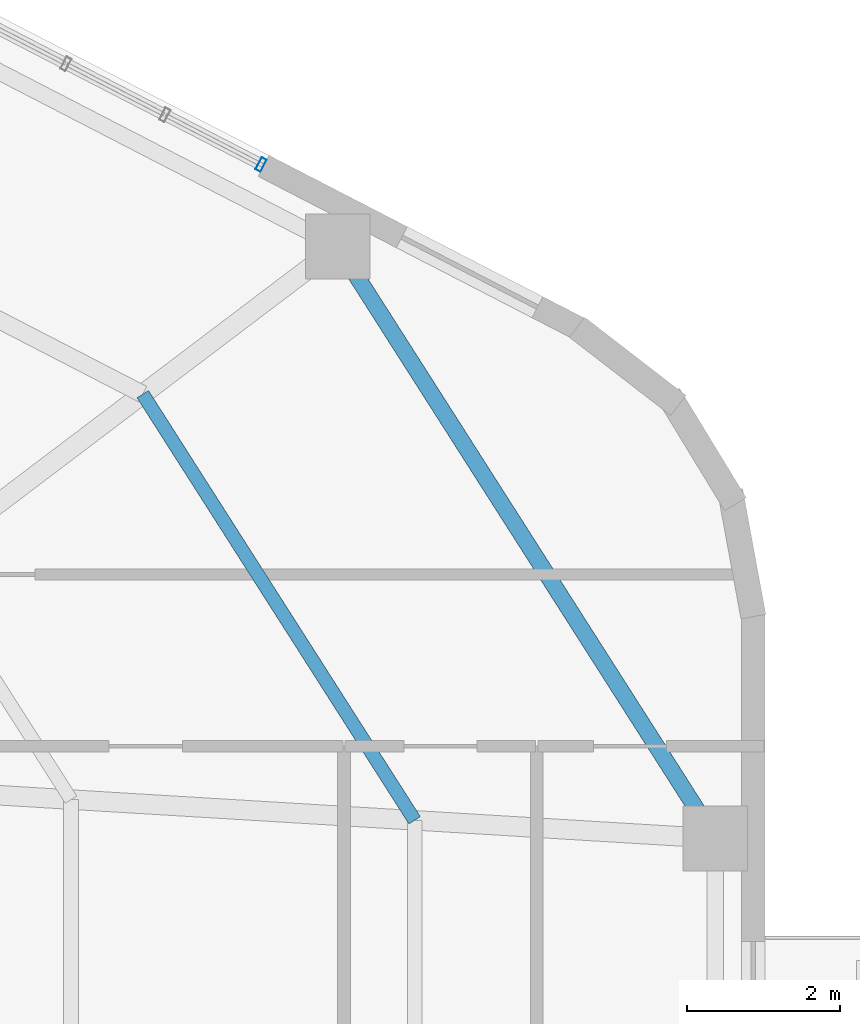
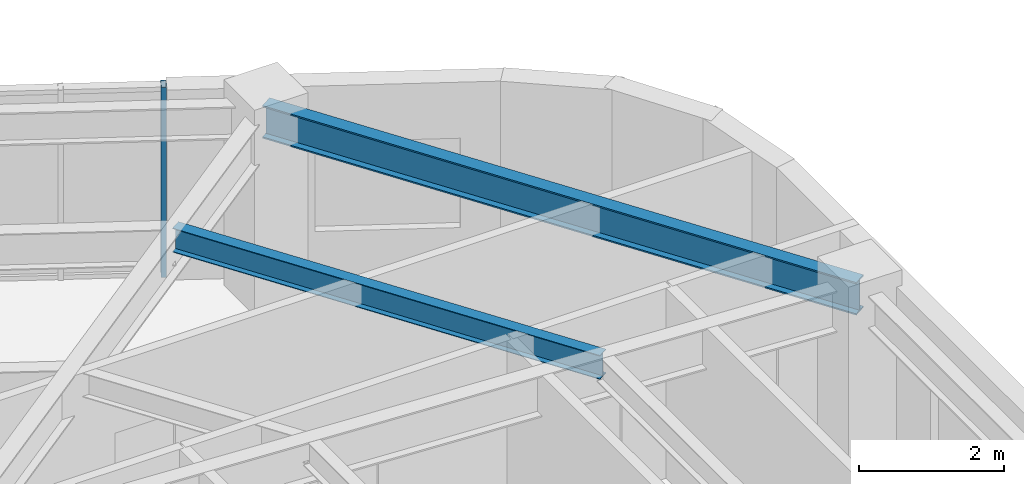
# One storey, part 4 of 11: 2 beams, 1 member, 1 element without a shape of its own.
"""IFC4 building model written with IfcOpenShell, lengths in metres."""

from ifc_helpers import new_model, si_unit, direction, frame, origin, origin_2d, place, context, subcontext, project, spatial, hollow_rectangle, i_section, extrude, material, layer, layer_set, material_profile, profile_set, type_object, element, aggregate, save


model = new_model("IFC4")

# Units and contexts
model_context = context("Model", 3, precision=1e-05, world=origin(), true_north=direction((0.0, 1.0)))
body_context = subcontext(model_context, "Body", "Model", "MODEL_VIEW")
ifc_project = project(units=[si_unit("LENGTHUNIT", "METRE"), si_unit("AREAUNIT", "SQUARE_METRE"), si_unit("VOLUMEUNIT", "CUBIC_METRE"), si_unit("PLANEANGLEUNIT", "RADIAN"), si_unit("MASSUNIT", "GRAM", prefix="KILO"), si_unit("THERMODYNAMICTEMPERATUREUNIT", "KELVIN"), si_unit("POWERUNIT", "WATT")], contexts=[model_context])

# Site, building, storey
site_placement = place(None, origin())
site = spatial("IfcSite", under=ifc_project, at=site_placement, CompositionType="ELEMENT")
building_placement = place(site_placement, origin())
building = spatial("IfcBuilding", under=site, at=building_placement, Name="Skarre Station Tower", CompositionType="ELEMENT")
storey_placement = place(building_placement, frame((0.0, 0.0, 167.10009765625)))
storey = spatial("IfcBuildingStorey", under=building, at=storey_placement, Name="L45", CompositionType="ELEMENT", Elevation=167.10009765625)

# Curtain wall, member
ifc_material_1 = material(Name="Thermally Broken Bronze-Anodized Aluminium & Triple Low-E Glass", Category="aluminium")
ifc_layer = layer(ifc_material_1, 0.18994140625, Name="Thermally Broken Bronze-Anodized Aluminium & Triple Low-E Glass")
ifc_layer_set = layer_set([ifc_layer], Name="Thermally Broken Bronze-Anodized Aluminium & Triple Low-E Glass")
curtain_wall_type = type_object("IfcCurtainWallType", Name="Sky-Garden Setback Conservatory Curtain Wall", PredefinedType="NOTDEFINED", material=ifc_layer_set)
curtain_wall_placement = place(storey_placement, origin())
curtain_wall = element("IfcCurtainWall", 1, at=curtain_wall_placement, inside=storey, type_object=curtain_wall_type, Name="L45 Facet 0 Conservatory Curtain Wall", PredefinedType="NOTDEFINED")
ifc_material_2 = material(Name="Anodized Aluminium 6063-T6", Category="aluminium")
ifc_material_profile_1 = material_profile(ifc_material_2, hollow_rectangle(XDim=0.074951171875, YDim=0.179931640625, WallThickness=0.00390625, at=origin_2d()), Name="Anodized Aluminium 6063-T6")
ifc_profile_set_1 = profile_set([ifc_material_profile_1], Name="Anodized Aluminium 6063-T6")
member_type = type_object("IfcMemberType", Name="Curtain-Wall Unitised Tower Mullion 180x75", PredefinedType="MULLION", material=ifc_profile_set_1)
member_placement = place(storey_placement, frame((47.569091796875, 37.33203125, 0.0), z_axis=(0.0, 0.0, 1.0), x_axis=(0.888593216602, -0.458696081745, 0.0)))
member = element("IfcMember", 2, at=member_placement, type_object=member_type, Name="L45 Facet 0 Conservatory Curtain Wall Mullion 4", PredefinedType="MULLION", context=body_context, shape_type="SweptSolid", body=[
    extrude(hollow_rectangle(XDim=0.074951171875, YDim=0.179931640625, WallThickness=0.00390625, at=origin_2d()), origin(), (0.0, 0.0, 1.0), 3.18994140625),
])
aggregate(curtain_wall, [member])

# Beams
ifc_material_3 = material(Name="Steel ASTM A992 Grade 50", Category="steel")
ifc_material_profile_2 = material_profile(ifc_material_3, i_section(OverallWidth=0.177978515625, OverallDepth=0.403076171875, WebThickness=0.008056640625, FlangeThickness=0.010986328125, at=origin_2d()), Name="Steel ASTM A992 Grade 50")
ifc_profile_set_2 = profile_set([ifc_material_profile_2], Name="Steel ASTM A992 Grade 50")
beam_type_1 = type_object("IfcBeamType", Name="Steel Joist W16X36", PredefinedType="JOIST", material=ifc_profile_set_2)
beam_1_placement = place(storey_placement, frame((49.58203125, 28.739013671875, 2.98779296875), z_axis=(-0.537900605588, 0.843008267165, 0.0), x_axis=(-0.843008267165, -0.537900605588, 0.0)))
element("IfcBeam", 3, at=beam_1_placement, inside=storey, type_object=beam_type_1, Name="L45 Auxiliary Composite Joist 16", PredefinedType="JOIST", context=body_context, shape_type="SweptSolid", body=[
    extrude(i_section(OverallWidth=0.177978515625, OverallDepth=0.403076171875, WebThickness=0.008056640625, FlangeThickness=0.010986328125, at=origin_2d()), origin(), (0.0, 0.0, 1.0), 6.623779296875),
])
ifc_material_profile_3 = material_profile(ifc_material_3, i_section(OverallWidth=0.214111328125, OverallDepth=0.549072265625, WebThickness=0.014892578125, FlangeThickness=0.02392578125, at=origin_2d()), Name="Steel ASTM A992 Grade 50")
ifc_profile_set_3 = profile_set([ifc_material_profile_3], Name="Steel ASTM A992 Grade 50")
beam_type_2 = type_object("IfcBeamType", Name="Steel Spandrel W21X93", PredefinedType="SPANDREL", material=ifc_profile_set_3)
beam_2_placement = place(storey_placement, frame((53.52197265625, 28.5009765625, 2.916015625), z_axis=(-0.537826426158, 0.843055594445, 0.0), x_axis=(-0.843055594445, -0.537826426158, 0.0)))
element("IfcBeam", 4, at=beam_2_placement, inside=storey, type_object=beam_type_2, Name="L45 Facet Spandrel Beam 12", PredefinedType="SPANDREL", context=body_context, shape_type="SweptSolid", body=[
    extrude(i_section(OverallWidth=0.214111328125, OverallDepth=0.549072265625, WebThickness=0.014892578125, FlangeThickness=0.02392578125, at=origin_2d()), origin(), (0.0, 0.0, 1.0), 9.199951171875),
])

save(model, "model.ifc")
